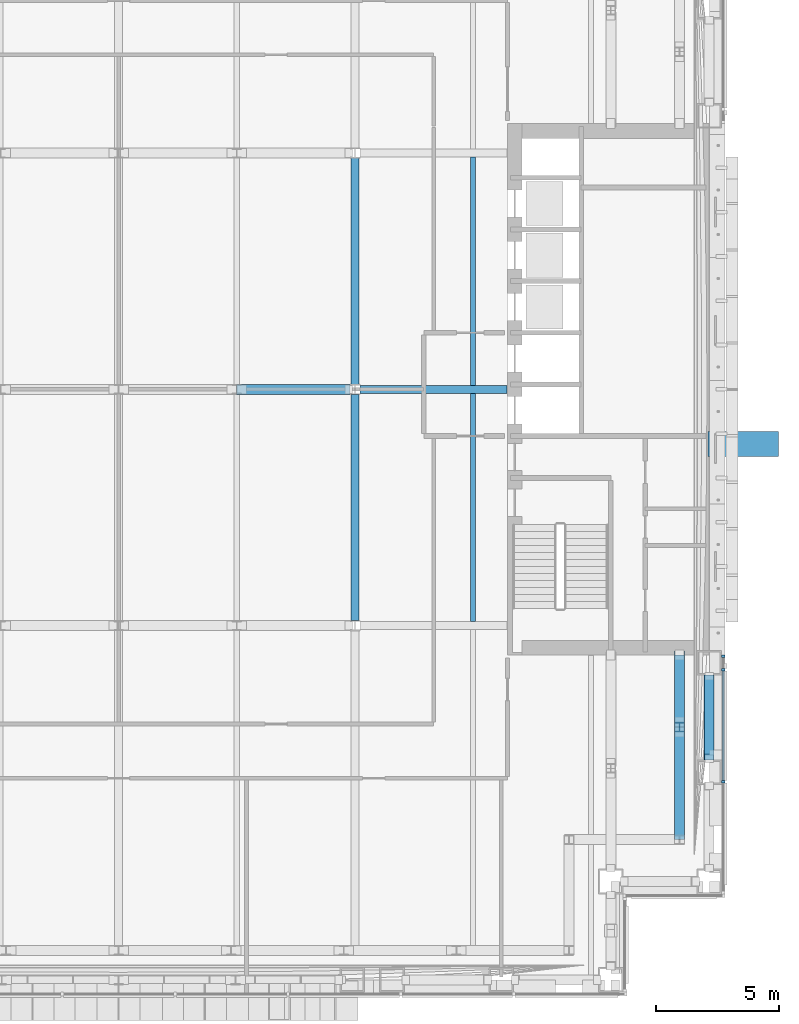
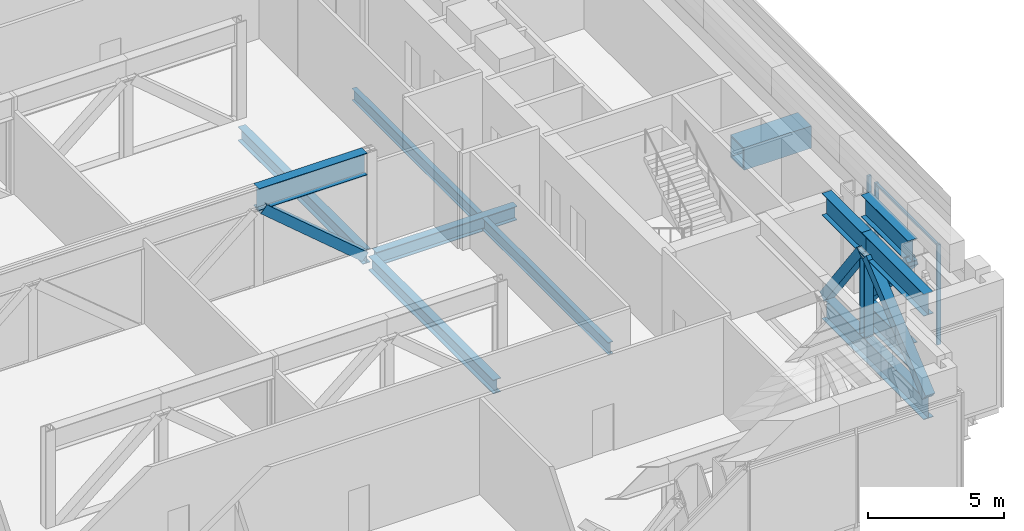
# One storey, part 6 of 39: 15 members, 6 beams, 1 element without a shape of its own.
"""IFC4 building model written with IfcOpenShell, lengths in metres."""

from ifc_helpers import new_model, si_unit, direction, frame, origin, origin_2d, place, context, subcontext, project, spatial, rectangle, hollow_rectangle, i_section, extrude, material, material_profile, profile_set, type_object, element, aggregate, save


model = new_model("IFC4")

# Units and contexts
model_context = context("Model", 3, precision=1e-05, world=origin(), true_north=direction((0.0, 1.0)))
body_context = subcontext(model_context, "Body", "Model", "MODEL_VIEW")
ifc_project = project(units=[si_unit("LENGTHUNIT", "METRE"), si_unit("AREAUNIT", "SQUARE_METRE"), si_unit("VOLUMEUNIT", "CUBIC_METRE"), si_unit("PLANEANGLEUNIT", "RADIAN"), si_unit("MASSUNIT", "GRAM", prefix="KILO")], contexts=[model_context])

# Site, building, storey
site_placement = place(None, origin())
site = spatial("IfcSite", under=ifc_project, at=site_placement, CompositionType="ELEMENT")
building_placement = place(site_placement, origin())
building = spatial("IfcBuilding", under=site, at=building_placement, Name="Cobrizo Arcos Hotel Tower", CompositionType="ELEMENT")
storey_placement = place(building_placement, frame((0.0, 0.0, 84.5)))
storey = spatial("IfcBuildingStorey", under=building, at=storey_placement, Name="L20", CompositionType="ELEMENT", Elevation=84.5)

# Beam
ifc_material_1 = material(Name="Steel ASTM A572 Grade 50", Category="steel")
ifc_material_profile_1 = material_profile(ifc_material_1, hollow_rectangle(XDim=1.0, YDim=1.0, WallThickness=0.06005859375, at=origin_2d()), Name="BOX 1000X1000X60")
ifc_profile_set_1 = profile_set([ifc_material_profile_1], Name="Steel ASTM A572 Grade 50")
beam_type_1 = type_object("IfcBeamType", Name="BOX 1000X1000X60 brace connector strut", PredefinedType="BEAM", material=ifc_profile_set_1)
beam_1_placement = place(storey_placement, frame((23.949951171875, -2.22216796875, 0.5), z_axis=(1.0, 0.0, 0.0), x_axis=(0.0, 1.0, 0.0)))
element("IfcBeam", 1, at=beam_1_placement, inside=storey, type_object=beam_type_1, Name="Perimeter brace stub BS1, zone Z1, east face, offset -2.22 m, L20", PredefinedType="BEAM", context=body_context, shape_type="SweptSolid", body=[
    extrude(hollow_rectangle(XDim=1.0, YDim=1.0, WallThickness=0.06005859375, at=origin_2d()), origin(), (0.0, 0.0, 1.0), 2.8701171875),
])

# Curtain wall, members
ifc_material_2 = material(Name="Aluminium 6063-T6 anodised bronze", Category="aluminium")
curtain_wall_type = type_object("IfcCurtainWallType", Name="CW-D plant louvre wall", PredefinedType="NOTDEFINED", material=ifc_material_2)
curtain_wall_placement = place(storey_placement, origin())
curtain_wall = element("IfcCurtainWall", 2, at=curtain_wall_placement, inside=storey, type_object=curtain_wall_type, Name="CW-D L20 E face", PredefinedType="NOTDEFINED")
ifc_material_profile_2 = material_profile(ifc_material_2, rectangle(XDim=0.14990234375, YDim=0.10009765625, at=origin_2d()), Name="CW-D mullion 150x100")
ifc_profile_set_2 = profile_set([ifc_material_profile_2], Name="Aluminium 6063-T6 anodised bronze")
member_type_1 = type_object("IfcMemberType", Name="CW-D mullion 150x100", PredefinedType="MULLION", material=ifc_profile_set_2)
member_1_placement = place(storey_placement, frame((24.574951171875, -15.9443359375, 0.0), z_axis=(0.0, 0.0, 1.0), x_axis=(1.0, 0.0, 0.0)))
member_1 = element("IfcMember", 3, at=member_1_placement, type_object=member_type_1, Name="CW-D mullion 2", PredefinedType="MULLION", context=body_context, shape_type="SweptSolid", body=[
    extrude(rectangle(XDim=0.14990234375, YDim=0.10009765625, at=origin_2d()), origin(), (0.0, 0.0, 1.0), 4.5),
])
member_2_placement = place(storey_placement, frame((24.574951171875, -11.388916015625, 0.0), z_axis=(0.0, 0.0, 1.0), x_axis=(1.0, 0.0, 0.0)))
member_2 = element("IfcMember", 4, at=member_2_placement, type_object=member_type_1, Name="CW-D mullion 3", PredefinedType="MULLION", context=body_context, shape_type="SweptSolid", body=[
    extrude(rectangle(XDim=0.14990234375, YDim=0.10009765625, at=origin_2d()), origin(), (0.0, 0.0, 1.0), 4.5),
])
member_3_placement = place(storey_placement, frame((24.574951171875, -10.85009765625, 0.0), z_axis=(0.0, 0.0, 1.0), x_axis=(1.0, 0.0, 0.0)))
member_3 = element("IfcMember", 5, at=member_3_placement, type_object=member_type_1, Name="CW-D mullion 4", PredefinedType="MULLION", context=body_context, shape_type="SweptSolid", body=[
    extrude(rectangle(XDim=0.14990234375, YDim=0.10009765625, at=origin_2d()), origin(), (0.0, 0.0, 1.0), 4.5),
])
ifc_material_profile_3 = material_profile(ifc_material_2, rectangle(XDim=0.10009765625, YDim=0.10009765625, at=origin_2d()), Name="CW-D transom 100x100")
ifc_profile_set_3 = profile_set([ifc_material_profile_3], Name="Aluminium 6063-T6 anodised bronze")
member_type_2 = type_object("IfcMemberType", Name="CW-D transom 100x100", PredefinedType="USERDEFINED", material=ifc_profile_set_3)
member_4_placement = place(storey_placement, frame((24.574951171875, -15.89453125, 4.449951171875), z_axis=(0.0, 1.0, 0.0), x_axis=(-1.0, 0.0, 0.0)))
member_4 = element("IfcMember", 6, at=member_4_placement, type_object=member_type_2, Name="CW-D transom 825", ObjectType="TRANSOM", PredefinedType="USERDEFINED", context=body_context, shape_type="SweptSolid", body=[
    extrude(rectangle(XDim=0.10009765625, YDim=0.10009765625, at=origin_2d()), origin(), (0.0, 0.0, 1.0), 4.45556640625),
])
aggregate(curtain_wall, [member_1, member_2, member_3, member_4])

# Members
ifc_material_3 = material(Name="Steel ASTM A500 Grade C", Category="steel")
ifc_material_profile_4 = material_profile(ifc_material_3, hollow_rectangle(XDim=0.406494140625, YDim=0.406494140625, WallThickness=0.014892578125, at=origin_2d()), Name="HSS16X16X5/8")
ifc_profile_set_4 = profile_set([ifc_material_profile_4], Name="Steel ASTM A500 Grade C")
member_type_3 = type_object("IfcMemberType", Name="HSS16X16X5/8 truss diagonal", PredefinedType="BRACE", material=ifc_profile_set_4)
member_5_placement = place(storey_placement, frame((24.0, -14.97607421875, 3.359375), z_axis=(0.0, 0.668028893094, -0.744135335804), x_axis=(-1.0, 0.0, 0.0)))
element("IfcMember", 7, at=member_5_placement, inside=storey, type_object=member_type_3, Name="Belt truss diagonal TD1, L20, no. 012", PredefinedType="BRACE", context=body_context, shape_type="SweptSolid", body=[
    extrude(hollow_rectangle(XDim=0.406494140625, YDim=0.406494140625, WallThickness=0.014892578125, at=origin_2d()), origin(), (0.0, 0.0, 1.0), 4.917724609375),
])
member_6_placement = place(storey_placement, frame((22.800048828125, -18.300048828125, -0.300048828125), z_axis=(0.0, 0.767048144643, 0.641589544646), x_axis=(-1.0, 0.0, 0.0)))
element("IfcMember", 8, at=member_6_placement, inside=storey, type_object=member_type_3, Name="Belt truss diagonal TD1, L20, no. 043", PredefinedType="BRACE", context=body_context, shape_type="SweptSolid", body=[
    extrude(hollow_rectangle(XDim=0.406494140625, YDim=0.406494140625, WallThickness=0.014892578125, at=origin_2d()), origin(), (0.0, 0.0, 1.0), 5.70361328125),
])
member_7_placement = place(storey_placement, frame((22.800048828125, -13.52490234375, 3.359375), z_axis=(0.0, 0.597093268224, -0.802171820149), x_axis=(-1.0, 0.0, 0.0)))
element("IfcMember", 9, at=member_7_placement, inside=storey, type_object=member_type_3, Name="Belt truss diagonal TD1, L20, no. 044", PredefinedType="BRACE", context=body_context, shape_type="SweptSolid", body=[
    extrude(hollow_rectangle(XDim=0.406494140625, YDim=0.406494140625, WallThickness=0.014892578125, at=origin_2d()), origin(), (0.0, 0.0, 1.0), 4.56201171875),
])
member_8_placement = place(storey_placement, frame((5.0, 0.0, 3.359375), z_axis=(0.762696810588, 0.0, -0.646756194496), x_axis=(0.0, 1.0, 0.0)))
element("IfcMember", 10, at=member_8_placement, inside=storey, type_object=member_type_3, Name="Outrigger diagonal TD1, L20, no. 020", PredefinedType="BRACE", context=body_context, shape_type="SweptSolid", body=[
    extrude(hollow_rectangle(XDim=0.406494140625, YDim=0.406494140625, WallThickness=0.014892578125, at=origin_2d()), origin(), (0.0, 0.0, 1.0), 5.658203125),
])
ifc_material_4 = material(Name="Steel ASTM A992 Grade 50", Category="steel")
ifc_material_profile_5 = material_profile(ifc_material_4, i_section(OverallWidth=0.373291015625, OverallDepth=0.373291015625, WebThickness=0.016357421875, FlangeThickness=0.026123046875, at=origin_2d()), Name="W14X132")
ifc_profile_set_5 = profile_set([ifc_material_profile_5], Name="Steel ASTM A992 Grade 50")
member_type_4 = type_object("IfcMemberType", Name="W14X132 truss post", PredefinedType="POST", material=ifc_profile_set_5)
member_9_placement = place(storey_placement, frame((22.800048828125, -13.72509765625, -0.300048828125), z_axis=(0.0, 0.0, 1.0), x_axis=(1.0, 0.0, 0.0)))
element("IfcMember", 11, at=member_9_placement, inside=storey, type_object=member_type_4, Name="Truss post TP1, L20, no. 018", PredefinedType="POST", context=body_context, shape_type="SweptSolid", body=[
    extrude(i_section(OverallWidth=0.373291015625, OverallDepth=0.373291015625, WebThickness=0.016357421875, FlangeThickness=0.026123046875, at=origin_2d()), origin(), (0.0, 0.0, 1.0), 3.659423828125),
])

# Beams
ifc_material_profile_6 = material_profile(ifc_material_4, i_section(OverallWidth=0.209228515625, OverallDepth=0.533447265625, WebThickness=0.01025390625, FlangeThickness=0.015625, at=origin_2d()), Name="W21X62")
ifc_profile_set_6 = profile_set([ifc_material_profile_6], Name="Steel ASTM A992 Grade 50")
beam_type_2 = type_object("IfcBeamType", Name="W21X62 joist", PredefinedType="JOIST", material=ifc_profile_set_6)
for number, where, z_axis, x_axis, name in (
    (12, (14.39990234375, -9.43603515625, -0.566650390625), (0.0, 1.0, 0.0), (-1.0, 0.0, 0.0), "Floor joist J1, L20, no. 018"),
    (13, (14.39990234375, 0.163818359375, -0.566650390625), (0.0, 1.0, 0.0), (-1.0, 0.0, 0.0), "Floor joist J1, L20, no. 019"),
):
    element("IfcBeam", number, at=place(storey_placement, frame(where, z_axis=z_axis, x_axis=x_axis)), inside=storey, type_object=beam_type_2, Name=name, PredefinedType="JOIST", context=body_context, shape_type="SweptSolid", body=[
        extrude(i_section(OverallWidth=0.209228515625, OverallDepth=0.533447265625, WebThickness=0.01025390625, FlangeThickness=0.015625, at=origin_2d()), origin(), (0.0, 0.0, 1.0), 9.272216796875),
    ])
ifc_material_profile_7 = material_profile(ifc_material_4, i_section(OverallWidth=0.32763671875, OverallDepth=0.622314453125, WebThickness=0.015380859375, FlangeThickness=0.0244140625, at=origin_2d()), Name="W24X131")
ifc_profile_set_7 = profile_set([ifc_material_profile_7], Name="Steel ASTM A992 Grade 50")
beam_type_3 = type_object("IfcBeamType", Name="W24X131 girder", PredefinedType="BEAM", material=ifc_profile_set_7)
beam_2_placement = place(storey_placement, frame((9.804443359375, 0.0, -0.611083984375), z_axis=(1.0, 0.0, 0.0), x_axis=(0.0, 1.0, 0.0)))
element("IfcBeam", 14, at=beam_2_placement, inside=storey, type_object=beam_type_3, Name="Floor girder G1, L20, no. 004", PredefinedType="BEAM", context=body_context, shape_type="SweptSolid", body=[
    extrude(i_section(OverallWidth=0.32763671875, OverallDepth=0.622314453125, WebThickness=0.015380859375, FlangeThickness=0.0244140625, at=origin_2d()), origin(), (0.0, 0.0, 1.0), 5.985595703125),
])
for number, where, z_axis, x_axis, name in (
    (15, (9.60009765625, -9.3955078125, -0.611083984375), (0.0, 1.0, 0.0), (-1.0, 0.0, 0.0), "Floor girder G1, L20, no. 016"),
    (16, (9.60009765625, 0.204345703125, -0.611083984375), (0.0, 1.0, 0.0), (-1.0, 0.0, 0.0), "Floor girder G1, L20, no. 017"),
):
    element("IfcBeam", number, at=place(storey_placement, frame(where, z_axis=z_axis, x_axis=x_axis)), inside=storey, type_object=beam_type_3, Name=name, PredefinedType="BEAM", context=body_context, shape_type="SweptSolid", body=[
        extrude(i_section(OverallWidth=0.32763671875, OverallDepth=0.622314453125, WebThickness=0.015380859375, FlangeThickness=0.0244140625, at=origin_2d()), origin(), (0.0, 0.0, 1.0), 9.191162109375),
    ])

# Members
ifc_material_profile_8 = material_profile(ifc_material_4, i_section(OverallWidth=0.4013671875, OverallDepth=0.990478515625, WebThickness=0.0166015625, FlangeThickness=0.025390625, at=origin_2d()), Name="W40X215")
ifc_profile_set_8 = profile_set([ifc_material_profile_8], Name="Steel ASTM A992 Grade 50")
member_type_5 = type_object("IfcMemberType", Name="W40X215 belt truss chord", PredefinedType="CHORD", material=ifc_profile_set_8)
for number, where, z_axis, x_axis, name in (
    (17, (24.0, -15.055908203125, -0.79541015625), (0.0, 1.0, 0.0), (-1.0, 0.0, 0.0), "Belt truss bottom chord TC1, L20, no. 009"),
    (18, (24.0, -15.055908203125, 3.854736328125), (0.0, 1.0, 0.0), (-1.0, 0.0, 0.0), "Belt truss top chord TC1, L20, no. 012"),
):
    element("IfcMember", number, at=place(storey_placement, frame(where, z_axis=z_axis, x_axis=x_axis)), inside=storey, type_object=member_type_5, Name=name, PredefinedType="CHORD", context=body_context, shape_type="SweptSolid", body=[
        extrude(i_section(OverallWidth=0.4013671875, OverallDepth=0.990478515625, WebThickness=0.0166015625, FlangeThickness=0.025390625, at=origin_2d()), origin(), (0.0, 0.0, 1.0), 3.44482421875),
    ])
member_10_placement = place(storey_placement, frame((22.800048828125, -18.300048828125, -0.79541015625), z_axis=(0.0, 1.0, 0.0), x_axis=(-1.0, 0.0, 0.0)))
element("IfcMember", 19, at=member_10_placement, inside=storey, type_object=member_type_5, Name="Belt truss bottom chord TC1, L20, no. 030", PredefinedType="CHORD", context=body_context, shape_type="SweptSolid", body=[
    extrude(i_section(OverallWidth=0.4013671875, OverallDepth=0.990478515625, WebThickness=0.0166015625, FlangeThickness=0.025390625, at=origin_2d()), origin(), (0.0, 0.0, 1.0), 7.4990234375),
])
member_11_placement = place(storey_placement, frame((22.800048828125, -18.300048828125, 3.854736328125), z_axis=(0.0, 1.0, 0.0), x_axis=(-1.0, 0.0, 0.0)))
element("IfcMember", 20, at=member_11_placement, inside=storey, type_object=member_type_5, Name="Belt truss top chord TC1, L20, no. 043", PredefinedType="CHORD", context=body_context, shape_type="SweptSolid", body=[
    extrude(i_section(OverallWidth=0.4013671875, OverallDepth=0.990478515625, WebThickness=0.0166015625, FlangeThickness=0.025390625, at=origin_2d()), origin(), (0.0, 0.0, 1.0), 4.574951171875),
])
member_12_placement = place(storey_placement, frame((22.800048828125, -13.72509765625, 3.854736328125), z_axis=(0.0, 1.0, 0.0), x_axis=(-1.0, 0.0, 0.0)))
element("IfcMember", 21, at=member_12_placement, inside=storey, type_object=member_type_5, Name="Belt truss top chord TC1, L20, no. 044", PredefinedType="CHORD", context=body_context, shape_type="SweptSolid", body=[
    extrude(i_section(OverallWidth=0.4013671875, OverallDepth=0.990478515625, WebThickness=0.0166015625, FlangeThickness=0.025390625, at=origin_2d()), origin(), (0.0, 0.0, 1.0), 2.924072265625),
])
member_13_placement = place(storey_placement, frame((4.800048828125, 0.0, 3.854736328125), z_axis=(1.0, 0.0, 0.0), x_axis=(0.0, 1.0, 0.0)))
element("IfcMember", 22, at=member_13_placement, inside=storey, type_object=member_type_5, Name="Outrigger top chord TC1, L20, no. 020", PredefinedType="CHORD", context=body_context, shape_type="SweptSolid", body=[
    extrude(i_section(OverallWidth=0.4013671875, OverallDepth=0.990478515625, WebThickness=0.0166015625, FlangeThickness=0.025390625, at=origin_2d()), origin(), (0.0, 0.0, 1.0), 4.595458984375),
])

save(model, "model.ifc")
